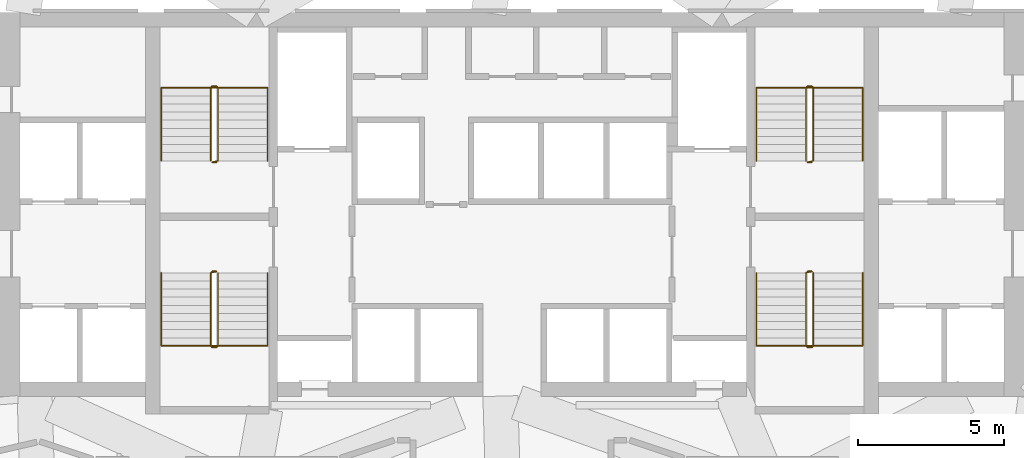
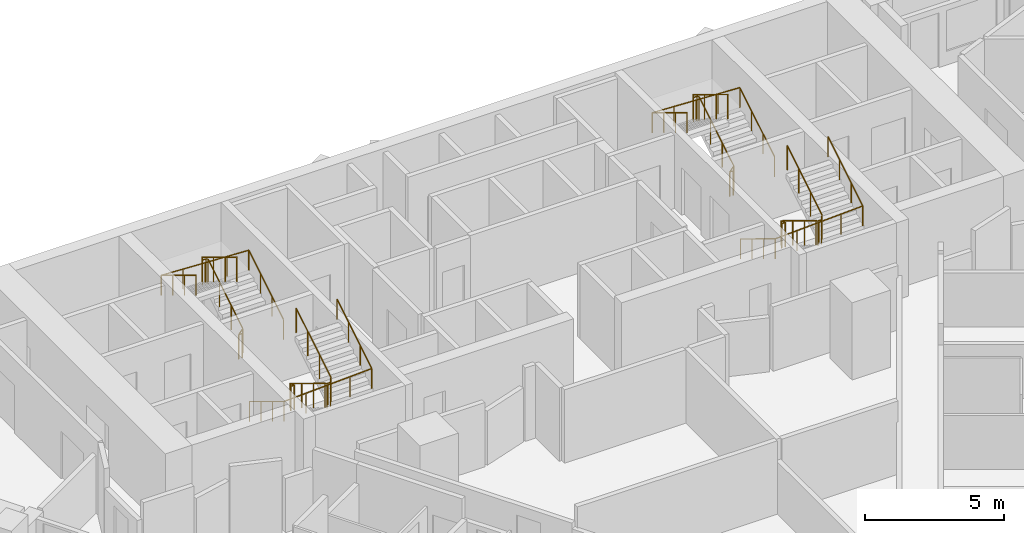
# One storey, part 12 of 12: 8 railings.
"""IFC4 building model written with IfcOpenShell, lengths in metres."""

from ifc_helpers import new_model, si_unit, direction, frame, origin, origin_2d, place, context, subcontext, project, spatial, circle, extrude, material, type_object, element, save


model = new_model("IFC4")

# Units and contexts
model_context = context("Model", 3, precision=1e-05, world=origin(), true_north=direction((0.0, 1.0)))
body_context = subcontext(model_context, "Body", "Model", "MODEL_VIEW")
ifc_project = project(units=[si_unit("LENGTHUNIT", "METRE"), si_unit("AREAUNIT", "SQUARE_METRE"), si_unit("VOLUMEUNIT", "CUBIC_METRE"), si_unit("PLANEANGLEUNIT", "RADIAN"), si_unit("MASSUNIT", "GRAM", prefix="KILO")], contexts=[model_context])

# Site, building, storey
site_placement = place(None, origin())
site = spatial("IfcSite", under=ifc_project, at=site_placement, CompositionType="ELEMENT")
building_placement = place(site_placement, origin())
building = spatial("IfcBuilding", under=site, at=building_placement, Name="Calabash Gate Tower", CompositionType="ELEMENT")
storey_placement = place(building_placement, frame((0.0, 0.0, 46.0)))
storey = spatial("IfcBuildingStorey", under=building, at=storey_placement, Name="L06", CompositionType="ELEMENT", Elevation=46.0)

# Railings
ifc_material_1 = material(Name="Black powder-coated steel balusters", Category="steel")
railing_type_1 = type_object("IfcRailingType", Name="Stair guard RL1100", PredefinedType="GUARDRAIL", material=ifc_material_1)
railing_1_placement = place(storey_placement, frame((-10.14990234375, 13.902587890625, 0.0)))
element("IfcRailing", 1, at=railing_1_placement, inside=storey, type_object=railing_type_1, Name="L06 ST1 stair guard 1", PredefinedType="GUARDRAIL", context=body_context, shape_type="SweptSolid", body=[
    extrude(circle(Radius=0.02392578125, at=origin_2d()), frame((0.0, 0.0, 1.076171875), z_axis=(-1.0, 0.0, 0.0), x_axis=(0.0, -1.0, 0.0)), (0.0, 0.0, 1.0), 0.150146484375),
    extrude(circle(Radius=0.02392578125, at=origin_2d()), frame((-0.150146484375, 0.0, 1.076171875), z_axis=(0.748514443355, 0.187357095101, 0.636100186295), x_axis=(-0.242814311512, 0.970072785993, 0.0)), (0.0, 0.0, 1.0), 0.26708984375),
    extrude(circle(Radius=0.02392578125, at=origin_2d()), frame((0.0498046875, 0.050048828125, 1.24609375), z_axis=(0.0, 0.853956361026, 0.520344629514), x_axis=(-1.0, 0.0, 0.0)), (0.0, 0.0, 1.0), 2.9404296875),
    extrude(circle(Radius=0.02392578125, at=origin_2d()), frame((0.0498046875, 2.56103515625, 2.77587890625), z_axis=(-0.705375805398, 0.708833529934, 0.0), x_axis=(-0.708833529934, -0.705375805398, 0.0)), (0.0, 0.0, 1.0), 0.070556640625),
    extrude(circle(Radius=0.02392578125, at=origin_2d()), frame((0.0, 2.611083984375, 2.77587890625), z_axis=(-1.0, 0.0, 0.0), x_axis=(0.0, -1.0, 0.0)), (0.0, 0.0, 1.0), 0.150146484375),
    extrude(circle(Radius=0.02392578125, at=origin_2d()), frame((-0.150146484375, 2.611083984375, 2.77587890625), z_axis=(-0.271562723297, -0.271562723297, 0.923313259209), x_axis=(0.707106781187, -0.707106781187, 0.0)), (0.0, 0.0, 1.0), 0.184326171875),
    extrude(circle(Radius=0.02392578125, at=origin_2d()), frame((-0.2001953125, 2.56103515625, 2.9462890625), z_axis=(0.0, -0.853993254676, 0.52028407718), x_axis=(1.0, 0.0, 0.0)), (0.0, 0.0, 1.0), 2.940185546875),
    extrude(circle(Radius=0.02099609375, at=origin_2d()), origin(), (0.0, 0.0, 1.0), 1.052001953125),
    extrude(circle(Radius=0.02099609375, at=origin_2d()), frame((-0.150146484375, 0.0, 0.0)), (0.0, 0.0, 1.0), 1.052001953125),
    extrude(circle(Radius=0.02099609375, at=origin_2d()), frame((0.0498046875, 0.050048828125, 0.169921875)), (0.0, 0.0, 1.0), 1.052001953125),
    extrude(circle(Radius=0.02099609375, at=origin_2d()), frame((0.0498046875, 0.886962890625, 0.679931640625)), (0.0, 0.0, 1.0), 1.052001953125),
    extrude(circle(Radius=0.02099609375, at=origin_2d()), frame((0.0498046875, 1.72412109375, 1.18994140625)), (0.0, 0.0, 1.0), 1.052001953125),
    extrude(circle(Radius=0.02099609375, at=origin_2d()), frame((0.0498046875, 2.56103515625, 1.699951171875)), (0.0, 0.0, 1.0), 1.052001953125),
    extrude(circle(Radius=0.02099609375, at=origin_2d()), frame((0.0, 2.611083984375, 1.699951171875)), (0.0, 0.0, 1.0), 1.052001953125),
    extrude(circle(Radius=0.02099609375, at=origin_2d()), frame((-0.150146484375, 2.611083984375, 1.699951171875)), (0.0, 0.0, 1.0), 1.052001953125),
    extrude(circle(Radius=0.02099609375, at=origin_2d()), frame((-0.2001953125, 2.56103515625, 1.8701171875)), (0.0, 0.0, 1.0), 1.052001953125),
    extrude(circle(Radius=0.02099609375, at=origin_2d()), frame((-0.2001953125, 1.72412109375, 2.380126953125)), (0.0, 0.0, 1.0), 1.052001953125),
    extrude(circle(Radius=0.02099609375, at=origin_2d()), frame((-0.2001953125, 0.886962890625, 2.889892578125)), (0.0, 0.0, 1.0), 1.052001953125),
    extrude(circle(Radius=0.02099609375, at=origin_2d()), frame((-0.2001953125, 0.050048828125, 3.39990234375)), (0.0, 0.0, 1.0), 1.052001953125),
])
railing_2_placement = place(storey_placement, frame((-10.300048828125, 10.152587890625, 0.0)))
element("IfcRailing", 2, at=railing_2_placement, inside=storey, type_object=railing_type_1, Name="L06 ST2 stair guard 1", PredefinedType="GUARDRAIL", context=body_context, shape_type="SweptSolid", body=[
    extrude(circle(Radius=0.02392578125, at=origin_2d()), frame((0.0, 0.0, 1.076171875), z_axis=(1.0, 0.0, 0.0), x_axis=(0.0, 1.0, 0.0)), (0.0, 0.0, 1.0), 0.150146484375),
    extrude(circle(Radius=0.02392578125, at=origin_2d()), frame((0.150146484375, 0.0, 1.076171875), z_axis=(-0.748915913269, -0.187228978317, 0.635665214189), x_axis=(0.242535625036, -0.970142500145, 0.0)), (0.0, 0.0, 1.0), 0.267333984375),
    extrude(circle(Radius=0.02392578125, at=origin_2d()), frame((-0.050048828125, -0.050048828125, 1.24609375), z_axis=(0.0, -0.853956361026, 0.520344629514), x_axis=(1.0, 0.0, 0.0)), (0.0, 0.0, 1.0), 2.9404296875),
    extrude(circle(Radius=0.02392578125, at=origin_2d()), frame((-0.050048828125, -2.56103515625, 2.77587890625), z_axis=(0.707106781187, -0.707106781187, 0.0), x_axis=(0.707106781187, 0.707106781187, 0.0)), (0.0, 0.0, 1.0), 0.07080078125),
    extrude(circle(Radius=0.02392578125, at=origin_2d()), frame((0.0, -2.611083984375, 2.77587890625), z_axis=(1.0, 0.0, 0.0), x_axis=(0.0, 1.0, 0.0)), (0.0, 0.0, 1.0), 0.150146484375),
    extrude(circle(Radius=0.02392578125, at=origin_2d()), frame((0.150146484375, -2.611083984375, 2.77587890625), z_axis=(0.270335057127, 0.271660228976, 0.923644778517), x_axis=(-0.708833529934, 0.705375805398, 0.0)), (0.0, 0.0, 1.0), 0.184326171875),
    extrude(circle(Radius=0.02392578125, at=origin_2d()), frame((0.199951171875, -2.56103515625, 2.9462890625), z_axis=(0.0, 0.853993254676, 0.52028407718), x_axis=(-1.0, 0.0, 0.0)), (0.0, 0.0, 1.0), 2.940185546875),
    extrude(circle(Radius=0.02099609375, at=origin_2d()), origin(), (0.0, 0.0, 1.0), 1.052001953125),
    extrude(circle(Radius=0.02099609375, at=origin_2d()), frame((0.150146484375, 0.0, 0.0)), (0.0, 0.0, 1.0), 1.052001953125),
    extrude(circle(Radius=0.02099609375, at=origin_2d()), frame((-0.050048828125, -0.050048828125, 0.169921875)), (0.0, 0.0, 1.0), 1.052001953125),
    extrude(circle(Radius=0.02099609375, at=origin_2d()), frame((-0.050048828125, -0.886962890625, 0.679931640625)), (0.0, 0.0, 1.0), 1.052001953125),
    extrude(circle(Radius=0.02099609375, at=origin_2d()), frame((-0.050048828125, -1.72412109375, 1.18994140625)), (0.0, 0.0, 1.0), 1.052001953125),
    extrude(circle(Radius=0.02099609375, at=origin_2d()), frame((-0.050048828125, -2.56103515625, 1.699951171875)), (0.0, 0.0, 1.0), 1.052001953125),
    extrude(circle(Radius=0.02099609375, at=origin_2d()), frame((0.0, -2.611083984375, 1.699951171875)), (0.0, 0.0, 1.0), 1.052001953125),
    extrude(circle(Radius=0.02099609375, at=origin_2d()), frame((0.150146484375, -2.611083984375, 1.699951171875)), (0.0, 0.0, 1.0), 1.052001953125),
    extrude(circle(Radius=0.02099609375, at=origin_2d()), frame((0.199951171875, -2.56103515625, 1.8701171875)), (0.0, 0.0, 1.0), 1.052001953125),
    extrude(circle(Radius=0.02099609375, at=origin_2d()), frame((0.199951171875, -1.72412109375, 2.380126953125)), (0.0, 0.0, 1.0), 1.052001953125),
    extrude(circle(Radius=0.02099609375, at=origin_2d()), frame((0.199951171875, -0.886962890625, 2.889892578125)), (0.0, 0.0, 1.0), 1.052001953125),
    extrude(circle(Radius=0.02099609375, at=origin_2d()), frame((0.199951171875, -0.050048828125, 3.39990234375)), (0.0, 0.0, 1.0), 1.052001953125),
])
railing_3_placement = place(storey_placement, frame((10.300048828125, 13.902587890625, 0.0)))
element("IfcRailing", 3, at=railing_3_placement, inside=storey, type_object=railing_type_1, Name="L06 ST3 stair guard 1", PredefinedType="GUARDRAIL", context=body_context, shape_type="SweptSolid", body=[
    extrude(circle(Radius=0.02392578125, at=origin_2d()), frame((0.0, 0.0, 1.076171875), z_axis=(-1.0, 0.0, 0.0), x_axis=(0.0, -1.0, 0.0)), (0.0, 0.0, 1.0), 0.150146484375),
    extrude(circle(Radius=0.02392578125, at=origin_2d()), frame((-0.150146484375, 0.0, 1.076171875), z_axis=(0.748915913269, 0.187228978317, 0.635665214189), x_axis=(-0.242535625036, 0.970142500145, 0.0)), (0.0, 0.0, 1.0), 0.267333984375),
    extrude(circle(Radius=0.02392578125, at=origin_2d()), frame((0.050048828125, 0.050048828125, 1.24609375), z_axis=(0.0, 0.853956361026, 0.520344629514), x_axis=(-1.0, 0.0, 0.0)), (0.0, 0.0, 1.0), 2.9404296875),
    extrude(circle(Radius=0.02392578125, at=origin_2d()), frame((0.050048828125, 2.56103515625, 2.77587890625), z_axis=(-0.707106781187, 0.707106781187, 0.0), x_axis=(-0.707106781187, -0.707106781187, 0.0)), (0.0, 0.0, 1.0), 0.07080078125),
    extrude(circle(Radius=0.02392578125, at=origin_2d()), frame((0.0, 2.611083984375, 2.77587890625), z_axis=(-1.0, 0.0, 0.0), x_axis=(0.0, -1.0, 0.0)), (0.0, 0.0, 1.0), 0.150146484375),
    extrude(circle(Radius=0.02392578125, at=origin_2d()), frame((-0.150146484375, 2.611083984375, 2.77587890625), z_axis=(-0.270335057127, -0.271660228976, 0.923644778517), x_axis=(0.708833529934, -0.705375805398, 0.0)), (0.0, 0.0, 1.0), 0.184326171875),
    extrude(circle(Radius=0.02392578125, at=origin_2d()), frame((-0.199951171875, 2.56103515625, 2.9462890625), z_axis=(0.0, -0.853993254676, 0.52028407718), x_axis=(1.0, 0.0, 0.0)), (0.0, 0.0, 1.0), 2.940185546875),
    extrude(circle(Radius=0.02099609375, at=origin_2d()), origin(), (0.0, 0.0, 1.0), 1.052001953125),
    extrude(circle(Radius=0.02099609375, at=origin_2d()), frame((-0.150146484375, 0.0, 0.0)), (0.0, 0.0, 1.0), 1.052001953125),
    extrude(circle(Radius=0.02099609375, at=origin_2d()), frame((0.050048828125, 0.050048828125, 0.169921875)), (0.0, 0.0, 1.0), 1.052001953125),
    extrude(circle(Radius=0.02099609375, at=origin_2d()), frame((0.050048828125, 0.886962890625, 0.679931640625)), (0.0, 0.0, 1.0), 1.052001953125),
    extrude(circle(Radius=0.02099609375, at=origin_2d()), frame((0.050048828125, 1.72412109375, 1.18994140625)), (0.0, 0.0, 1.0), 1.052001953125),
    extrude(circle(Radius=0.02099609375, at=origin_2d()), frame((0.050048828125, 2.56103515625, 1.699951171875)), (0.0, 0.0, 1.0), 1.052001953125),
    extrude(circle(Radius=0.02099609375, at=origin_2d()), frame((0.0, 2.611083984375, 1.699951171875)), (0.0, 0.0, 1.0), 1.052001953125),
    extrude(circle(Radius=0.02099609375, at=origin_2d()), frame((-0.150146484375, 2.611083984375, 1.699951171875)), (0.0, 0.0, 1.0), 1.052001953125),
    extrude(circle(Radius=0.02099609375, at=origin_2d()), frame((-0.199951171875, 2.56103515625, 1.8701171875)), (0.0, 0.0, 1.0), 1.052001953125),
    extrude(circle(Radius=0.02099609375, at=origin_2d()), frame((-0.199951171875, 1.72412109375, 2.380126953125)), (0.0, 0.0, 1.0), 1.052001953125),
    extrude(circle(Radius=0.02099609375, at=origin_2d()), frame((-0.199951171875, 0.886962890625, 2.889892578125)), (0.0, 0.0, 1.0), 1.052001953125),
    extrude(circle(Radius=0.02099609375, at=origin_2d()), frame((-0.199951171875, 0.050048828125, 3.39990234375)), (0.0, 0.0, 1.0), 1.052001953125),
])
railing_4_placement = place(storey_placement, frame((10.14990234375, 10.152587890625, 0.0)))
element("IfcRailing", 4, at=railing_4_placement, inside=storey, type_object=railing_type_1, Name="L06 ST4 stair guard 1", PredefinedType="GUARDRAIL", context=body_context, shape_type="SweptSolid", body=[
    extrude(circle(Radius=0.02392578125, at=origin_2d()), frame((0.0, 0.0, 1.076171875), z_axis=(1.0, 0.0, 0.0), x_axis=(0.0, 1.0, 0.0)), (0.0, 0.0, 1.0), 0.150146484375),
    extrude(circle(Radius=0.02392578125, at=origin_2d()), frame((0.150146484375, 0.0, 1.076171875), z_axis=(-0.748514443355, -0.187357095101, 0.636100186295), x_axis=(0.242814311512, -0.970072785993, 0.0)), (0.0, 0.0, 1.0), 0.26708984375),
    extrude(circle(Radius=0.02392578125, at=origin_2d()), frame((-0.0498046875, -0.050048828125, 1.24609375), z_axis=(0.0, -0.853956361026, 0.520344629514), x_axis=(1.0, 0.0, 0.0)), (0.0, 0.0, 1.0), 2.9404296875),
    extrude(circle(Radius=0.02392578125, at=origin_2d()), frame((-0.0498046875, -2.56103515625, 2.77587890625), z_axis=(0.705375805398, -0.708833529934, 0.0), x_axis=(0.708833529934, 0.705375805398, 0.0)), (0.0, 0.0, 1.0), 0.070556640625),
    extrude(circle(Radius=0.02392578125, at=origin_2d()), frame((0.0, -2.611083984375, 2.77587890625), z_axis=(1.0, 0.0, 0.0), x_axis=(0.0, 1.0, 0.0)), (0.0, 0.0, 1.0), 0.150146484375),
    extrude(circle(Radius=0.02392578125, at=origin_2d()), frame((0.150146484375, -2.611083984375, 2.77587890625), z_axis=(0.271562723297, 0.271562723297, 0.923313259209), x_axis=(-0.707106781187, 0.707106781187, 0.0)), (0.0, 0.0, 1.0), 0.184326171875),
    extrude(circle(Radius=0.02392578125, at=origin_2d()), frame((0.2001953125, -2.56103515625, 2.9462890625), z_axis=(0.0, 0.853993254676, 0.52028407718), x_axis=(-1.0, 0.0, 0.0)), (0.0, 0.0, 1.0), 2.940185546875),
    extrude(circle(Radius=0.02099609375, at=origin_2d()), origin(), (0.0, 0.0, 1.0), 1.052001953125),
    extrude(circle(Radius=0.02099609375, at=origin_2d()), frame((0.150146484375, 0.0, 0.0)), (0.0, 0.0, 1.0), 1.052001953125),
    extrude(circle(Radius=0.02099609375, at=origin_2d()), frame((-0.0498046875, -0.050048828125, 0.169921875)), (0.0, 0.0, 1.0), 1.052001953125),
    extrude(circle(Radius=0.02099609375, at=origin_2d()), frame((-0.0498046875, -0.886962890625, 0.679931640625)), (0.0, 0.0, 1.0), 1.052001953125),
    extrude(circle(Radius=0.02099609375, at=origin_2d()), frame((-0.0498046875, -1.72412109375, 1.18994140625)), (0.0, 0.0, 1.0), 1.052001953125),
    extrude(circle(Radius=0.02099609375, at=origin_2d()), frame((-0.0498046875, -2.56103515625, 1.699951171875)), (0.0, 0.0, 1.0), 1.052001953125),
    extrude(circle(Radius=0.02099609375, at=origin_2d()), frame((0.0, -2.611083984375, 1.699951171875)), (0.0, 0.0, 1.0), 1.052001953125),
    extrude(circle(Radius=0.02099609375, at=origin_2d()), frame((0.150146484375, -2.611083984375, 1.699951171875)), (0.0, 0.0, 1.0), 1.052001953125),
    extrude(circle(Radius=0.02099609375, at=origin_2d()), frame((0.2001953125, -2.56103515625, 1.8701171875)), (0.0, 0.0, 1.0), 1.052001953125),
    extrude(circle(Radius=0.02099609375, at=origin_2d()), frame((0.2001953125, -1.72412109375, 2.380126953125)), (0.0, 0.0, 1.0), 1.052001953125),
    extrude(circle(Radius=0.02099609375, at=origin_2d()), frame((0.2001953125, -0.886962890625, 2.889892578125)), (0.0, 0.0, 1.0), 1.052001953125),
    extrude(circle(Radius=0.02099609375, at=origin_2d()), frame((0.2001953125, -0.050048828125, 3.39990234375)), (0.0, 0.0, 1.0), 1.052001953125),
])
ifc_material_2 = material(Name="Black powder-coated steel tube 48 mm", Category="steel")
railing_type_2 = type_object("IfcRailingType", Name="Stair handrail RL900", PredefinedType="HANDRAIL", material=ifc_material_2)
railing_5_placement = place(storey_placement, frame((-8.39990234375, 13.95263671875, 0.169921875)))
element("IfcRailing", 5, at=railing_5_placement, inside=storey, type_object=railing_type_2, Name="L06 ST1 stair handrail 1", PredefinedType="HANDRAIL", context=body_context, shape_type="SweptSolid", body=[
    extrude(circle(Radius=0.02392578125, at=origin_2d()), frame((0.0, 0.0, 0.8759765625), z_axis=(0.0, 0.853956361026, 0.520344629514), x_axis=(-1.0, 0.0, 0.0)), (0.0, 0.0, 1.0), 2.9404296875),
    extrude(circle(Radius=0.02392578125, at=origin_2d()), frame((0.0, 2.510986328125, 2.40576171875), z_axis=(-0.99891510456, 0.0, 0.046568378562), x_axis=(0.0, -1.0, 0.0)), (0.0, 0.0, 1.0), 3.654052734375),
    extrude(circle(Radius=0.02392578125, at=origin_2d()), frame((-3.650146484375, 2.510986328125, 2.576171875), z_axis=(0.0, -0.853993254676, 0.52028407718), x_axis=(1.0, 0.0, 0.0)), (0.0, 0.0, 1.0), 2.940185546875),
    extrude(circle(Radius=0.02099609375, at=origin_2d()), origin(), (0.0, 0.0, 1.0), 0.851806640625),
    extrude(circle(Radius=0.02099609375, at=origin_2d()), frame((0.0, 0.8369140625, 0.510009765625)), (0.0, 0.0, 1.0), 0.851806640625),
    extrude(circle(Radius=0.02099609375, at=origin_2d()), frame((0.0, 1.674072265625, 1.02001953125)), (0.0, 0.0, 1.0), 0.851806640625),
    extrude(circle(Radius=0.02099609375, at=origin_2d()), frame((0.0, 2.510986328125, 1.530029296875)), (0.0, 0.0, 1.0), 0.851806640625),
    extrude(circle(Radius=0.02099609375, at=origin_2d()), frame((-0.91259765625, 2.510986328125, 1.572509765625)), (0.0, 0.0, 1.0), 0.851806640625),
    extrude(circle(Radius=0.02099609375, at=origin_2d()), frame((-1.8251953125, 2.510986328125, 1.615234375)), (0.0, 0.0, 1.0), 0.851806640625),
    extrude(circle(Radius=0.02099609375, at=origin_2d()), frame((-2.737548828125, 2.510986328125, 1.65771484375)), (0.0, 0.0, 1.0), 0.851806640625),
    extrude(circle(Radius=0.02099609375, at=origin_2d()), frame((-3.650146484375, 2.510986328125, 1.7001953125)), (0.0, 0.0, 1.0), 0.851806640625),
    extrude(circle(Radius=0.02099609375, at=origin_2d()), frame((-3.650146484375, 1.674072265625, 2.210205078125)), (0.0, 0.0, 1.0), 0.851806640625),
    extrude(circle(Radius=0.02099609375, at=origin_2d()), frame((-3.650146484375, 0.8369140625, 2.719970703125)), (0.0, 0.0, 1.0), 0.851806640625),
    extrude(circle(Radius=0.02099609375, at=origin_2d()), frame((-3.650146484375, 0.0, 3.22998046875)), (0.0, 0.0, 1.0), 0.851806640625),
])
railing_6_placement = place(storey_placement, frame((-12.050048828125, 10.1025390625, 0.169921875)))
element("IfcRailing", 6, at=railing_6_placement, inside=storey, type_object=railing_type_2, Name="L06 ST2 stair handrail 1", PredefinedType="HANDRAIL", context=body_context, shape_type="SweptSolid", body=[
    extrude(circle(Radius=0.02392578125, at=origin_2d()), frame((0.0, 0.0, 0.8759765625), z_axis=(0.0, -0.853956361026, 0.520344629514), x_axis=(1.0, 0.0, 0.0)), (0.0, 0.0, 1.0), 2.9404296875),
    extrude(circle(Radius=0.02392578125, at=origin_2d()), frame((0.0, -2.510986328125, 2.40576171875), z_axis=(0.99891510456, 0.0, 0.046568378562), x_axis=(0.0, 1.0, 0.0)), (0.0, 0.0, 1.0), 3.654052734375),
    extrude(circle(Radius=0.02392578125, at=origin_2d()), frame((3.650146484375, -2.510986328125, 2.576171875), z_axis=(0.0, 0.853993254676, 0.52028407718), x_axis=(-1.0, 0.0, 0.0)), (0.0, 0.0, 1.0), 2.940185546875),
    extrude(circle(Radius=0.02099609375, at=origin_2d()), origin(), (0.0, 0.0, 1.0), 0.851806640625),
    extrude(circle(Radius=0.02099609375, at=origin_2d()), frame((0.0, -0.8369140625, 0.510009765625)), (0.0, 0.0, 1.0), 0.851806640625),
    extrude(circle(Radius=0.02099609375, at=origin_2d()), frame((0.0, -1.674072265625, 1.02001953125)), (0.0, 0.0, 1.0), 0.851806640625),
    extrude(circle(Radius=0.02099609375, at=origin_2d()), frame((0.0, -2.510986328125, 1.530029296875)), (0.0, 0.0, 1.0), 0.851806640625),
    extrude(circle(Radius=0.02099609375, at=origin_2d()), frame((0.91259765625, -2.510986328125, 1.572509765625)), (0.0, 0.0, 1.0), 0.851806640625),
    extrude(circle(Radius=0.02099609375, at=origin_2d()), frame((1.8251953125, -2.510986328125, 1.615234375)), (0.0, 0.0, 1.0), 0.851806640625),
    extrude(circle(Radius=0.02099609375, at=origin_2d()), frame((2.737548828125, -2.510986328125, 1.65771484375)), (0.0, 0.0, 1.0), 0.851806640625),
    extrude(circle(Radius=0.02099609375, at=origin_2d()), frame((3.650146484375, -2.510986328125, 1.7001953125)), (0.0, 0.0, 1.0), 0.851806640625),
    extrude(circle(Radius=0.02099609375, at=origin_2d()), frame((3.650146484375, -1.674072265625, 2.210205078125)), (0.0, 0.0, 1.0), 0.851806640625),
    extrude(circle(Radius=0.02099609375, at=origin_2d()), frame((3.650146484375, -0.8369140625, 2.719970703125)), (0.0, 0.0, 1.0), 0.851806640625),
    extrude(circle(Radius=0.02099609375, at=origin_2d()), frame((3.650146484375, 0.0, 3.22998046875)), (0.0, 0.0, 1.0), 0.851806640625),
])
railing_7_placement = place(storey_placement, frame((12.050048828125, 13.95263671875, 0.169921875)))
element("IfcRailing", 7, at=railing_7_placement, inside=storey, type_object=railing_type_2, Name="L06 ST3 stair handrail 1", PredefinedType="HANDRAIL", context=body_context, shape_type="SweptSolid", body=[
    extrude(circle(Radius=0.02392578125, at=origin_2d()), frame((0.0, 0.0, 0.8759765625), z_axis=(0.0, 0.853956361026, 0.520344629514), x_axis=(-1.0, 0.0, 0.0)), (0.0, 0.0, 1.0), 2.9404296875),
    extrude(circle(Radius=0.02392578125, at=origin_2d()), frame((0.0, 2.510986328125, 2.40576171875), z_axis=(-0.99891510456, 0.0, 0.046568378562), x_axis=(0.0, -1.0, 0.0)), (0.0, 0.0, 1.0), 3.654052734375),
    extrude(circle(Radius=0.02392578125, at=origin_2d()), frame((-3.650146484375, 2.510986328125, 2.576171875), z_axis=(0.0, -0.853993254676, 0.52028407718), x_axis=(1.0, 0.0, 0.0)), (0.0, 0.0, 1.0), 2.940185546875),
    extrude(circle(Radius=0.02099609375, at=origin_2d()), origin(), (0.0, 0.0, 1.0), 0.851806640625),
    extrude(circle(Radius=0.02099609375, at=origin_2d()), frame((0.0, 0.8369140625, 0.510009765625)), (0.0, 0.0, 1.0), 0.851806640625),
    extrude(circle(Radius=0.02099609375, at=origin_2d()), frame((0.0, 1.674072265625, 1.02001953125)), (0.0, 0.0, 1.0), 0.851806640625),
    extrude(circle(Radius=0.02099609375, at=origin_2d()), frame((0.0, 2.510986328125, 1.530029296875)), (0.0, 0.0, 1.0), 0.851806640625),
    extrude(circle(Radius=0.02099609375, at=origin_2d()), frame((-0.91259765625, 2.510986328125, 1.572509765625)), (0.0, 0.0, 1.0), 0.851806640625),
    extrude(circle(Radius=0.02099609375, at=origin_2d()), frame((-1.8251953125, 2.510986328125, 1.615234375)), (0.0, 0.0, 1.0), 0.851806640625),
    extrude(circle(Radius=0.02099609375, at=origin_2d()), frame((-2.737548828125, 2.510986328125, 1.65771484375)), (0.0, 0.0, 1.0), 0.851806640625),
    extrude(circle(Radius=0.02099609375, at=origin_2d()), frame((-3.650146484375, 2.510986328125, 1.7001953125)), (0.0, 0.0, 1.0), 0.851806640625),
    extrude(circle(Radius=0.02099609375, at=origin_2d()), frame((-3.650146484375, 1.674072265625, 2.210205078125)), (0.0, 0.0, 1.0), 0.851806640625),
    extrude(circle(Radius=0.02099609375, at=origin_2d()), frame((-3.650146484375, 0.8369140625, 2.719970703125)), (0.0, 0.0, 1.0), 0.851806640625),
    extrude(circle(Radius=0.02099609375, at=origin_2d()), frame((-3.650146484375, 0.0, 3.22998046875)), (0.0, 0.0, 1.0), 0.851806640625),
])
railing_8_placement = place(storey_placement, frame((8.39990234375, 10.1025390625, 0.169921875)))
element("IfcRailing", 8, at=railing_8_placement, inside=storey, type_object=railing_type_2, Name="L06 ST4 stair handrail 1", PredefinedType="HANDRAIL", context=body_context, shape_type="SweptSolid", body=[
    extrude(circle(Radius=0.02392578125, at=origin_2d()), frame((0.0, 0.0, 0.8759765625), z_axis=(0.0, -0.853956361026, 0.520344629514), x_axis=(1.0, 0.0, 0.0)), (0.0, 0.0, 1.0), 2.9404296875),
    extrude(circle(Radius=0.02392578125, at=origin_2d()), frame((0.0, -2.510986328125, 2.40576171875), z_axis=(0.99891510456, 0.0, 0.046568378562), x_axis=(0.0, 1.0, 0.0)), (0.0, 0.0, 1.0), 3.654052734375),
    extrude(circle(Radius=0.02392578125, at=origin_2d()), frame((3.650146484375, -2.510986328125, 2.576171875), z_axis=(0.0, 0.853993254676, 0.52028407718), x_axis=(-1.0, 0.0, 0.0)), (0.0, 0.0, 1.0), 2.940185546875),
    extrude(circle(Radius=0.02099609375, at=origin_2d()), origin(), (0.0, 0.0, 1.0), 0.851806640625),
    extrude(circle(Radius=0.02099609375, at=origin_2d()), frame((0.0, -0.8369140625, 0.510009765625)), (0.0, 0.0, 1.0), 0.851806640625),
    extrude(circle(Radius=0.02099609375, at=origin_2d()), frame((0.0, -1.674072265625, 1.02001953125)), (0.0, 0.0, 1.0), 0.851806640625),
    extrude(circle(Radius=0.02099609375, at=origin_2d()), frame((0.0, -2.510986328125, 1.530029296875)), (0.0, 0.0, 1.0), 0.851806640625),
    extrude(circle(Radius=0.02099609375, at=origin_2d()), frame((0.91259765625, -2.510986328125, 1.572509765625)), (0.0, 0.0, 1.0), 0.851806640625),
    extrude(circle(Radius=0.02099609375, at=origin_2d()), frame((1.8251953125, -2.510986328125, 1.615234375)), (0.0, 0.0, 1.0), 0.851806640625),
    extrude(circle(Radius=0.02099609375, at=origin_2d()), frame((2.737548828125, -2.510986328125, 1.65771484375)), (0.0, 0.0, 1.0), 0.851806640625),
    extrude(circle(Radius=0.02099609375, at=origin_2d()), frame((3.650146484375, -2.510986328125, 1.7001953125)), (0.0, 0.0, 1.0), 0.851806640625),
    extrude(circle(Radius=0.02099609375, at=origin_2d()), frame((3.650146484375, -1.674072265625, 2.210205078125)), (0.0, 0.0, 1.0), 0.851806640625),
    extrude(circle(Radius=0.02099609375, at=origin_2d()), frame((3.650146484375, -0.8369140625, 2.719970703125)), (0.0, 0.0, 1.0), 0.851806640625),
    extrude(circle(Radius=0.02099609375, at=origin_2d()), frame((3.650146484375, 0.0, 3.22998046875)), (0.0, 0.0, 1.0), 0.851806640625),
])

save(model, "model.ifc")
